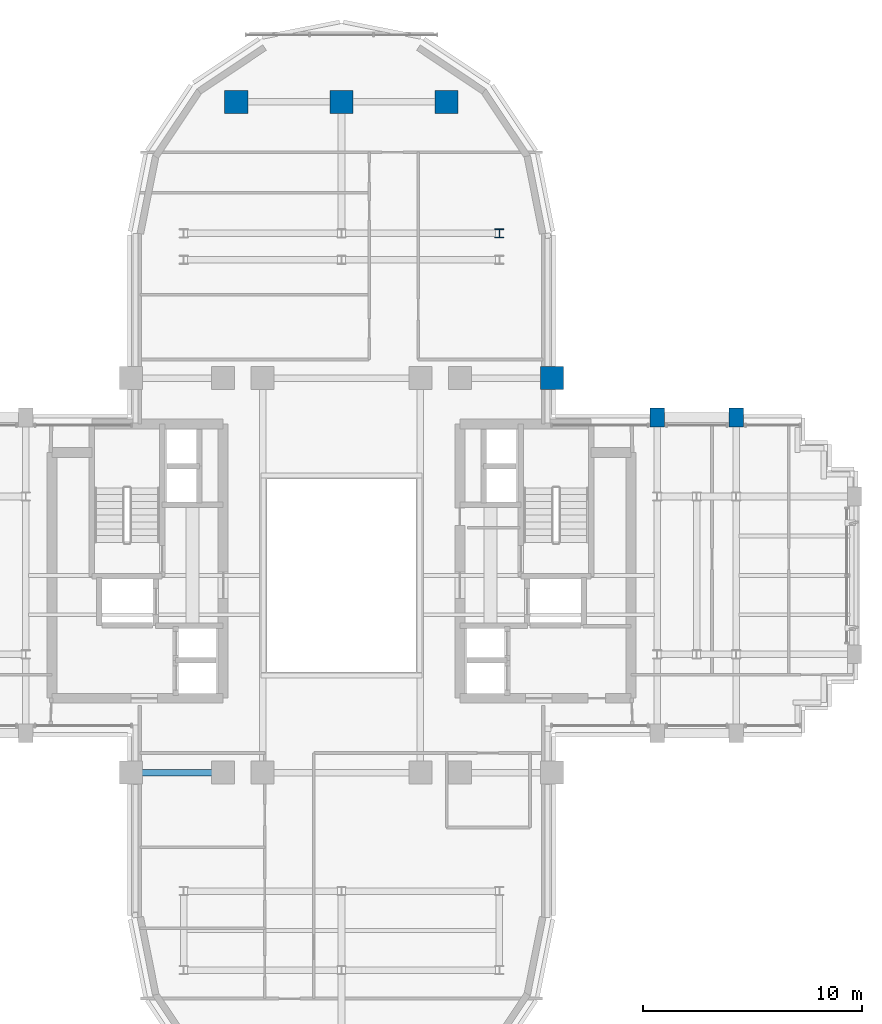
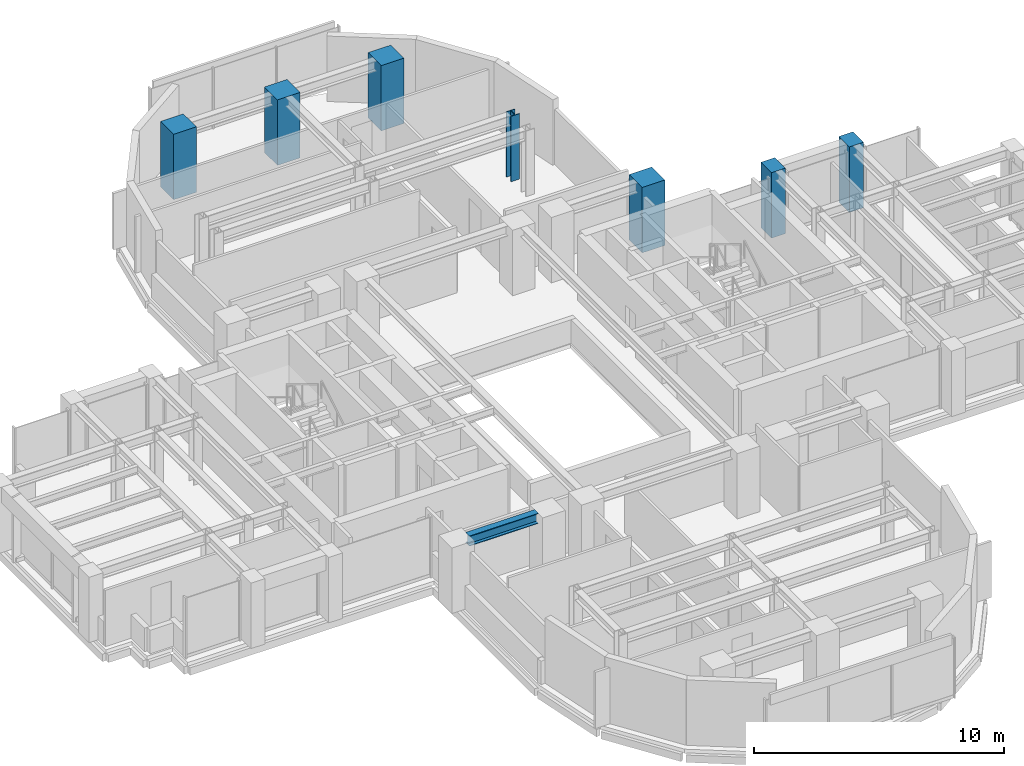
# One storey, part 2 of 14: 7 columns, 1 beam.
"""IFC4 building model written with IfcOpenShell, lengths in metres."""

from ifc_helpers import new_model, si_unit, direction, frame, origin, origin_2d, place, context, subcontext, project, spatial, rectangle, i_section, extrude, source, transform, mapped, material, material_profile, profile_set, type_object, element, save


model = new_model("IFC4")

# Units and contexts
model_context = context("Model", 3, precision=1e-05, world=origin(), true_north=direction((0.0, 1.0)))
body_context = subcontext(model_context, "Body", "Model", "MODEL_VIEW")
ifc_project = project(units=[si_unit("LENGTHUNIT", "METRE"), si_unit("AREAUNIT", "SQUARE_METRE"), si_unit("VOLUMEUNIT", "CUBIC_METRE"), si_unit("PLANEANGLEUNIT", "RADIAN"), si_unit("MASSUNIT", "GRAM", prefix="KILO")], contexts=[model_context])

# Site, building, storey
site_placement = place(None, origin())
site = spatial("IfcSite", under=ifc_project, at=site_placement, CompositionType="ELEMENT")
building_placement = place(site_placement, origin())
building = spatial("IfcBuilding", under=site, at=building_placement, Name="Keilestroom Media Tower", CompositionType="ELEMENT")
storey_placement = place(building_placement, frame((0.0, 0.0, 134.60009765625)))
storey = spatial("IfcBuildingStorey", under=building, at=storey_placement, Name="L36", CompositionType="ELEMENT", Elevation=134.60009765625)

# Columns
ifc_material_1 = material(Name="Precast concrete C40/50", Category="concrete")
ifc_material_profile_1 = material_profile(ifc_material_1, rectangle(XDim=0.64990234375, YDim=0.85009765625, at=origin_2d()), Name="PC 850x650")
ifc_profile_set_1 = profile_set([ifc_material_profile_1], Name="Precast concrete C40/50")
column_type_1 = type_object("IfcColumnType", Name="Structural-Column-PC-850x650", PredefinedType="COLUMN", material=ifc_profile_set_1)
shared_shape_1 = source(origin(), body_context, "Body", "SweptSolid", [
    extrude(rectangle(XDim=0.64990234375, YDim=0.85009765625, at=origin_2d()), origin(), (0.0, 0.0, 1.0), 3.199951171875),
])
for number, where, z_axis, x_axis, name in (
    (1, (14.39990234375, 7.199951171875, 0.0), (0.0, 0.0, 1.0), (1.0, 0.0, 0.0), "L36 Column PC-2 (+14.4,+7.2)"),
    (2, (18.0, 7.199951171875, 0.0), (0.0, 0.0, 1.0), (1.0, 0.0, 0.0), "L36 Column PC-2 (+18.0,+7.2)"),
):
    element("IfcColumn", number, at=place(storey_placement, frame(where, z_axis=z_axis, x_axis=x_axis)), inside=storey, type_object=column_type_1, Name=name, PredefinedType="COLUMN", context=body_context, shape_type="MappedRepresentation", body=[
        mapped(shared_shape_1, transform((0.0, 0.0, 0.0), x_axis=(1.0, 0.0, 0.0), y_axis=(0.0, 1.0, 0.0), z_axis=(0.0, 0.0, 1.0), scale=1.0)),
    ])
ifc_material_2 = material(Name="Steel S355", Category="steel")
ifc_material_profile_2 = material_profile(ifc_material_2, i_section(OverallWidth=0.40087890625, OverallDepth=0.39892578125, WebThickness=0.02001953125, FlangeThickness=0.031982421875, at=origin_2d()), Name="HD 400x314")
ifc_profile_set_2 = profile_set([ifc_material_profile_2], Name="Steel S355")
column_type_2 = type_object("IfcColumnType", Name="Structural-Column-HD-400x314", PredefinedType="COLUMN", material=ifc_profile_set_2)
shared_shape_2 = source(origin(), body_context, "Body", "SweptSolid", [
    extrude(i_section(OverallWidth=0.40087890625, OverallDepth=0.39892578125, WebThickness=0.02001953125, FlangeThickness=0.031982421875, at=origin_2d()), origin(), (0.0, 0.0, 1.0), 3.199951171875),
])
column_placement = place(storey_placement, frame((7.199951171875, 15.60009765625, 0.0), z_axis=(0.0, 0.0, 1.0), x_axis=(1.0, 0.0, 0.0)))
element("IfcColumn", 3, at=column_placement, inside=storey, type_object=column_type_2, Name="L36 Column SC-3 (+7.2,+15.6)", PredefinedType="COLUMN", context=body_context, shape_type="MappedRepresentation", body=[
    mapped(shared_shape_2, transform((0.0, 0.0, 0.0), x_axis=(1.0, 0.0, 0.0), y_axis=(0.0, 1.0, 0.0), z_axis=(0.0, 0.0, 1.0), scale=1.0)),
])
ifc_material_3 = material(Name="Concrete C55/67", Category="concrete")
ifc_material_profile_3 = material_profile(ifc_material_3, rectangle(XDim=1.050048828125, YDim=1.050048828125, at=origin_2d()), Name="RC 1050x1050")
ifc_profile_set_3 = profile_set([ifc_material_profile_3], Name="Concrete C55/67")
column_type_3 = type_object("IfcColumnType", Name="Structural-Column-RC-1050x1050", PredefinedType="COLUMN", material=ifc_profile_set_3)
shared_shape_3 = source(origin(), body_context, "Body", "SweptSolid", [
    extrude(rectangle(XDim=1.050048828125, YDim=1.050048828125, at=origin_2d()), origin(), (0.0, 0.0, 1.0), 3.199951171875),
])
for number, where, z_axis, x_axis, name in (
    (4, (-4.800048828125, 21.60009765625, 0.0), (0.0, 0.0, 1.0), (1.0, 0.0, 0.0), "L36 Column MC-3 (-4.8,+21.6)"),
    (5, (0.0, 21.60009765625, 0.0), (0.0, 0.0, 1.0), (1.0, 0.0, 0.0), "L36 Column MC-3 (+0.0,+21.6)"),
    (6, (4.800048828125, 21.60009765625, 0.0), (0.0, 0.0, 1.0), (1.0, 0.0, 0.0), "L36 Column MC-3 (+4.8,+21.6)"),
    (7, (9.60009765625, 9.0, 0.0), (0.0, 0.0, 1.0), (1.0, 0.0, 0.0), "L36 Column MC-3 (+9.6,+9.0)"),
):
    element("IfcColumn", number, at=place(storey_placement, frame(where, z_axis=z_axis, x_axis=x_axis)), inside=storey, type_object=column_type_3, Name=name, PredefinedType="COLUMN", context=body_context, shape_type="MappedRepresentation", body=[
        mapped(shared_shape_3, transform((0.0, 0.0, 0.0), x_axis=(1.0, 0.0, 0.0), y_axis=(0.0, 1.0, 0.0), z_axis=(0.0, 0.0, 1.0), scale=1.0)),
    ])

# Beam
ifc_material_profile_4 = material_profile(ifc_material_2, i_section(OverallWidth=0.300048828125, OverallDepth=0.5, WebThickness=0.012451171875, FlangeThickness=0.028076171875, at=origin_2d()), Name="HEB 500")
ifc_profile_set_4 = profile_set([ifc_material_profile_4], Name="Steel S355")
beam_type = type_object("IfcBeamType", Name="Primary-Structural-Girder-HEB-500", PredefinedType="BEAM", material=ifc_profile_set_4)
shared_shape_4 = source(origin(), body_context, "Body", "SweptSolid", [
    extrude(i_section(OverallWidth=0.300048828125, OverallDepth=0.5, WebThickness=0.012451171875, FlangeThickness=0.028076171875, at=origin_2d()), origin(), (0.0, 0.0, 1.0), 3.18994140625),
])
beam_placement = place(storey_placement, frame((-9.094970703125, -9.0, 2.949951171875), z_axis=(1.0, 0.0, 0.0), x_axis=(0.0, 1.0, 0.0)))
element("IfcBeam", 8, at=beam_placement, inside=storey, type_object=beam_type, Name="L36 Beam BG-6 BM-L36-EW-007", PredefinedType="BEAM", context=body_context, shape_type="MappedRepresentation", body=[
    mapped(shared_shape_4, transform((0.0, 0.0, 0.0), x_axis=(1.0, 0.0, 0.0), y_axis=(0.0, 1.0, 0.0), z_axis=(0.0, 0.0, 1.0), scale=1.0)),
])

save(model, "model.ifc")
